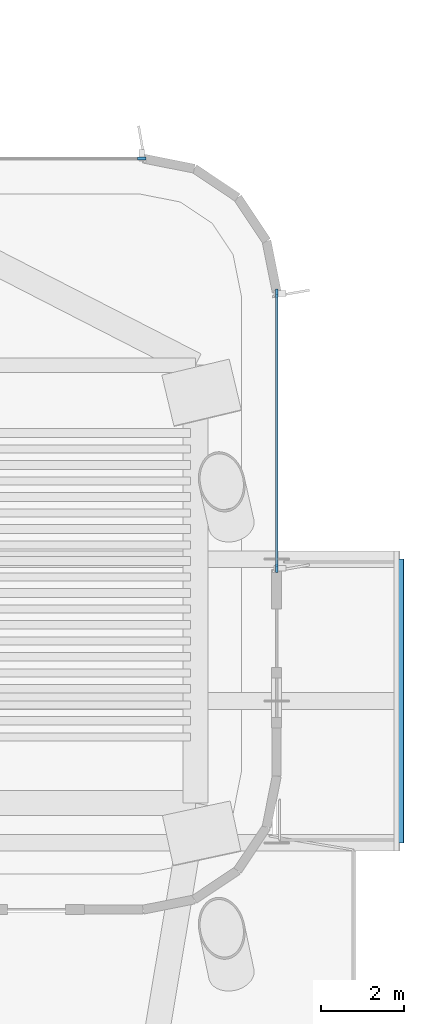
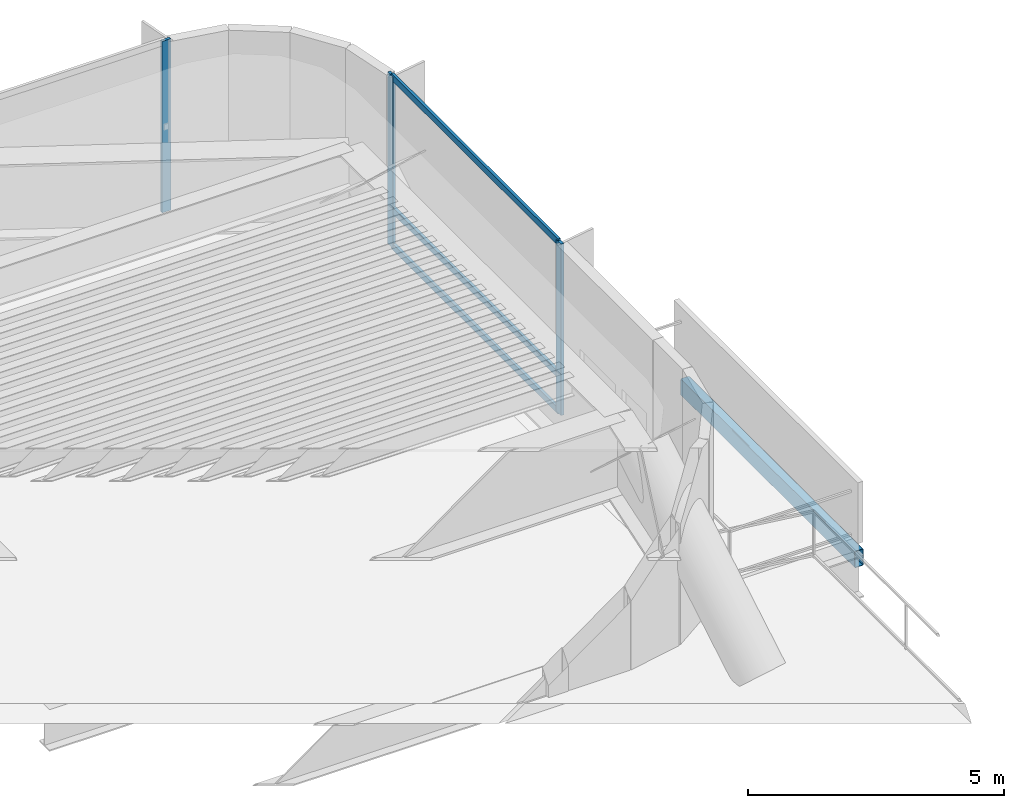
# One storey, part 8 of 16: 6 members, 1 beam, 2 elements without a shape of their own.
"""IFC4 building model written with IfcOpenShell, lengths in metres."""

import ifcopenshell
import ifcopenshell.guid

model = None  # the IFC model being written
_history = None  # IfcOwnerHistory: only IFC2X3 demands one
_inside = {}  # id of a spatial element -> (the spatial element, [elements in it])
_under = {}  # id of a project, library or spatial element -> (it, [spatial elements below it])
_declared = {}  # id of a project -> (the project, [libraries it declares])
_typed = {}  # id of a type object -> (the type object, [elements of that type])
_made_of = {}  # id of a material, layer set ... -> (it, [elements and type objects made of it])


def new_model(schema):
    """Start an empty IFC model of exactly this schema.

    Asked for "IFC4X3", IfcOpenShell would pick the latest addendum, in which some entities
    have other attributes; the version numbers below select the first issue.
    IFC2X3 requires an IfcOwnerHistory on every rooted entity: one is made here for all.
    """
    global model, _history
    if schema == "IFC4X3":
        model = ifcopenshell.file(schema_version=(4, 3, 0, 0))
    else:
        model = ifcopenshell.file(schema=schema)
    _inside.clear()
    _under.clear()
    _declared.clear()
    _typed.clear()
    _made_of.clear()
    _history = None
    if model.schema == "IFC2X3":
        org = make("IfcOrganization", Name="unknown")
        user = make(
            "IfcPersonAndOrganization",
            ThePerson=make("IfcPerson", FamilyName="unknown"),
            TheOrganization=org,
        )
        app = make(
            "IfcApplication",
            ApplicationDeveloper=org,
            Version="unknown",
            ApplicationFullName="unknown",
            ApplicationIdentifier="unknown",
        )
        _history = make(
            "IfcOwnerHistory",
            OwningUser=user,
            OwningApplication=app,
            ChangeAction="ADDED",
            CreationDate=0,
        )
    return model


def make(cls, **values):
    """One entity of the class cls with the attributes given. An attribute that is None is left unset."""
    return model.create_entity(
        cls, **{name: value for name, value in values.items() if value is not None}
    )


def rooted(cls, **values):
    """An entity with a GlobalId (a new one), such as an element, a storey or a relation."""
    return make(cls, GlobalId=ifcopenshell.guid.new(), OwnerHistory=_history, **values)


def si_unit(unit_type, name, prefix=None):
    """IfcSIUnit, for example si_unit("LENGTHUNIT", "METRE", prefix="MILLI")."""
    return make("IfcSIUnit", UnitType=unit_type, Prefix=prefix, Name=name)


def assignment(units):
    """IfcUnitAssignment: the units of a project."""
    return None if units is None else make("IfcUnitAssignment", Units=units)


def point(xyz):
    """IfcCartesianPoint."""
    return None if xyz is None else make("IfcCartesianPoint", Coordinates=xyz)


def direction(xyz):
    """IfcDirection."""
    return None if xyz is None else make("IfcDirection", DirectionRatios=xyz)


def frame(location, z_axis=None, x_axis=None):
    """IfcAxis2Placement3D, a coordinate frame: its origin and axes. An axis left out is left unset."""
    return make(
        "IfcAxis2Placement3D",
        Location=point(location),
        Axis=direction(z_axis),
        RefDirection=direction(x_axis),
    )


def frame_2d(location, x_axis=None):
    """IfcAxis2Placement2D, a coordinate frame in the plane: its origin and x axis."""
    return make(
        "IfcAxis2Placement2D", Location=point(location), RefDirection=direction(x_axis)
    )


def origin():
    """The frame at (0, 0, 0) with its axes left unset."""
    return frame((0.0, 0.0, 0.0))


def origin_2d():
    """The frame at (0, 0) in the plane with its x axis left unset."""
    return frame_2d((0.0, 0.0))


def place(relative_to, where):
    """IfcLocalPlacement: puts the frame where relative to a parent placement (None: the world)."""
    return make(
        "IfcLocalPlacement", PlacementRelTo=relative_to, RelativePlacement=where
    )


def context(
    kind, dimensions, precision=None, world=None, true_north=None, identifier=None
):
    """IfcGeometricRepresentationContext, for example the 3D "Model" context."""
    return make(
        "IfcGeometricRepresentationContext",
        ContextIdentifier=identifier,
        ContextType=kind,
        CoordinateSpaceDimension=dimensions,
        Precision=precision,
        WorldCoordinateSystem=world,
        TrueNorth=true_north,
    )


def subcontext(parent, identifier, kind, view, scale=None):
    """IfcGeometricRepresentationSubContext, for example "Body" below "Model"."""
    return make(
        "IfcGeometricRepresentationSubContext",
        ContextIdentifier=identifier,
        ContextType=kind,
        ParentContext=parent,
        TargetScale=scale,
        TargetView=view,
    )


def project(units=None, contexts=None):
    """IfcProject with its units and contexts."""
    return rooted(
        "IfcProject",
        Name="project",
        RepresentationContexts=contexts,
        UnitsInContext=assignment(units),
    )


def spatial(cls, under=None, at=None, **own):
    """A site, building, storey or space (cls), placed at a placement, below another one or the project."""
    s = rooted(cls, ObjectPlacement=at, **own)
    if under is not None:
        _under.setdefault(under.id(), (under, []))[1].append(s)
    return s


def profile(cls, at=None, kind="AREA", **sizes):
    """A parametric profile (cls). Its sizes go by their IFC names, for example OverallWidth=200.0."""
    return make(cls, ProfileType=kind, Position=at, **sizes)


def rectangle(**sizes):
    """IfcRectangleProfileDef."""
    return profile("IfcRectangleProfileDef", **sizes)


def hollow_rectangle(**sizes):
    """IfcRectangleHollowProfileDef."""
    return profile("IfcRectangleHollowProfileDef", **sizes)


def extrude(swept, where, along, depth):
    """IfcExtrudedAreaSolid: the profile swept, set in the frame where, extruded along a direction by depth."""
    return make(
        "IfcExtrudedAreaSolid",
        SweptArea=swept,
        Position=where,
        ExtrudedDirection=direction(along),
        Depth=depth,
    )


def shape(context_of_items, identifier, shape_type, items):
    """IfcShapeRepresentation: the items that make up one representation, for example the "Body"."""
    return make(
        "IfcShapeRepresentation",
        ContextOfItems=context_of_items,
        RepresentationIdentifier=identifier,
        RepresentationType=shape_type,
        Items=items,
    )


def source(mapping_origin, context_of_items, identifier, shape_type, items):
    """IfcRepresentationMap: a shape defined once, which mapped items show again and again."""
    return make(
        "IfcRepresentationMap",
        MappingOrigin=mapping_origin,
        MappedRepresentation=shape(context_of_items, identifier, shape_type, items),
    )


def transform(
    local_origin,
    x_axis=None,
    y_axis=None,
    z_axis=None,
    scale=None,
    scale2=None,
    scale3=None,
    uniform=True,
):
    """IfcCartesianTransformationOperator3D, or its non-uniform kind. x_axis, y_axis, z_axis: its Axis1, 2, 3."""
    if uniform:
        return make(
            "IfcCartesianTransformationOperator3D",
            Axis1=direction(x_axis),
            Axis2=direction(y_axis),
            LocalOrigin=point(local_origin),
            Scale=scale,
            Axis3=direction(z_axis),
        )
    return make(
        "IfcCartesianTransformationOperator3DnonUniform",
        Axis1=direction(x_axis),
        Axis2=direction(y_axis),
        LocalOrigin=point(local_origin),
        Scale=scale,
        Axis3=direction(z_axis),
        Scale2=scale2,
        Scale3=scale3,
    )


def mapped(mapping_source, mapping_target):
    """IfcMappedItem: shows the shape of a source again, moved by a transform."""
    return make(
        "IfcMappedItem", MappingSource=mapping_source, MappingTarget=mapping_target
    )


def material(Name=None, Category=None):
    """IfcMaterial."""
    return make("IfcMaterial", Name=Name, Category=Category)


def layer(
    of_material, thickness, ventilated=None, Name=None, Category=None, Priority=None
):
    """IfcMaterialLayer: one layer of a wall or slab, of a material (None: an air gap)."""
    return make(
        "IfcMaterialLayer",
        Material=of_material,
        LayerThickness=thickness,
        IsVentilated=ventilated,
        Name=Name,
        Category=Category,
        Priority=Priority,
    )


def layer_set(layers, Name=None):
    """IfcMaterialLayerSet."""
    return make("IfcMaterialLayerSet", MaterialLayers=layers, LayerSetName=Name)


def material_profile(
    of_material, cross_section, Name=None, Category=None, Priority=None
):
    """IfcMaterialProfile: a cross section and its material."""
    return make(
        "IfcMaterialProfile",
        Name=Name,
        Material=of_material,
        Profile=cross_section,
        Priority=Priority,
        Category=Category,
    )


def profile_set(profiles, Name=None, composite=None):
    """IfcMaterialProfileSet."""
    return make(
        "IfcMaterialProfileSet",
        Name=Name,
        MaterialProfiles=profiles,
        CompositeProfile=composite,
    )


def made_of(thing, what):
    """Note that an element or type object is made of a material, layer set ...; save() writes the relation."""
    if what is not None:
        _made_of.setdefault(what.id(), (what, []))[1].append(thing)
    return thing


def type_object(cls, material=None, **own):
    """A type object (cls), such as IfcWallType, which elements share."""
    return made_of(rooted(cls, **own), material)


def element(
    cls,
    number,
    at=None,
    inside=None,
    cuts=None,
    type_object=None,
    material=None,
    context=None,
    identifier="Body",
    shape_type=None,
    held_by="IfcProductDefinitionShape",
    body=None,
    shapes=None,
    **own,
):
    """One element of the class cls, such as IfcWall. Its Tag is "e" and its number.

    at: its placement. inside: the storey or other place that contains it. cuts: it is an
    opening in that element (IfcRelVoidsElement). A single representation is given by context,
    identifier, shape_type and body (its items); several are given by shapes. held_by: the class
    of the entity that holds the representations. save() writes the other relations.
    """
    e = rooted(cls, Tag="e%d" % number, ObjectPlacement=at, **own)
    if body is not None:
        shapes = [shape(context, identifier, shape_type, body)]
    if shapes is not None:
        e.Representation = make(held_by, Representations=shapes)
    if inside is not None:
        _inside.setdefault(inside.id(), (inside, []))[1].append(e)
    if cuts is not None:
        rooted(
            "IfcRelVoidsElement", RelatingBuildingElement=cuts, RelatedOpeningElement=e
        )
    if type_object is not None:
        _typed.setdefault(type_object.id(), (type_object, []))[1].append(e)
    return made_of(e, material)


def aggregate(whole, parts):
    """IfcRelAggregates: a whole, such as a stair, and the parts it consists of."""
    return rooted("IfcRelAggregates", RelatingObject=whole, RelatedObjects=parts)


def save(model, path):
    """Write the relations noted so far, then the file.

    IfcRelAggregates (storeys below a building ...), IfcRelContainedInSpatialStructure (elements
    in a storey), IfcRelDefinesByType, IfcRelAssociatesMaterial and IfcRelDeclares: one each for
    every whole, place, type object, material and project.
    """
    for whole, parts in _under.values():
        aggregate(whole, parts)
    for where, things in _inside.values():
        rooted(
            "IfcRelContainedInSpatialStructure",
            RelatedElements=things,
            RelatingStructure=where,
        )
    for kind, things in _typed.values():
        rooted("IfcRelDefinesByType", RelatedObjects=things, RelatingType=kind)
    for what, things in _made_of.values():
        rooted("IfcRelAssociatesMaterial", RelatedObjects=things, RelatingMaterial=what)
    for by, libraries in _declared.values():
        rooted("IfcRelDeclares", RelatingContext=by, RelatedDefinitions=libraries)
    model.write(path)


model = new_model("IFC4")

# Units and contexts
model_context = context("Model", 3, precision=1e-05, world=origin(), true_north=direction((0.0, 1.0)))
body_context = subcontext(model_context, "Body", "Model", "MODEL_VIEW")
ifc_project = project(units=[si_unit("LENGTHUNIT", "METRE"), si_unit("AREAUNIT", "SQUARE_METRE"), si_unit("VOLUMEUNIT", "CUBIC_METRE"), si_unit("PLANEANGLEUNIT", "RADIAN"), si_unit("MASSUNIT", "GRAM", prefix="KILO")], contexts=[model_context])

# Site, building, storey
site_placement = place(None, origin())
site = spatial("IfcSite", under=ifc_project, at=site_placement, CompositionType="ELEMENT")
building_placement = place(site_placement, origin())
building = spatial("IfcBuilding", under=site, at=building_placement, Name="Brelvock Crest Care Tower", CompositionType="ELEMENT")
storey_placement = place(building_placement, frame((0.0, 0.0, 218.52001953125)))
storey = spatial("IfcBuildingStorey", under=building, at=storey_placement, Name="L55", CompositionType="ELEMENT", Elevation=218.52001953125)

# Beam
ifc_material_1 = material(Name="Steel Grade 350", Category="steel")
ifc_material_profile_1 = material_profile(ifc_material_1, hollow_rectangle(XDim=0.199951171875, YDim=0.39990234375, WallThickness=0.012451171875, OuterFilletRadius=0.02490234375, at=origin_2d()), Name="RHS400x200x12.5")
ifc_profile_set_1 = profile_set([ifc_material_profile_1], Name="Steel Grade 350")
beam_type = type_object("IfcBeamType", Name="BM-SP3", PredefinedType="SPANDREL", material=ifc_profile_set_1)
shared_shape_1 = source(origin(), body_context, "Body", "SweptSolid", [
    extrude(hollow_rectangle(XDim=0.199951171875, YDim=0.39990234375, WallThickness=0.012451171875, OuterFilletRadius=0.02490234375, at=origin_2d()), origin(), (0.0, 0.0, 1.0), 6.800048828125),
])
beam_placement = place(storey_placement, frame((57.25, 43.0, -0.52001953125), z_axis=(0.0, 1.0, 0.0), x_axis=(-1.0, 0.0, 0.0)))
element("IfcBeam", 1, at=beam_placement, inside=storey, type_object=beam_type, Name="L55 Sky Pool Edge Spandrel", PredefinedType="SPANDREL", context=body_context, shape_type="MappedRepresentation", body=[
    mapped(shared_shape_1, transform((0.0, 0.0, 0.0), x_axis=(1.0, 0.0, 0.0), y_axis=(0.0, 1.0, 0.0), z_axis=(0.0, 0.0, 1.0), scale=1.0)),
])

# Curtain wall, member
ifc_material_2 = material(Name="Dark Glass Double Glazed Low-E", Category="glass")
ifc_layer = layer(ifc_material_2, 0.2548828125, Name="CWS-6")
ifc_layer_set = layer_set([ifc_layer], Name="Dark Glass Double Glazed Low-E")
curtain_wall_type = type_object("IfcCurtainWallType", Name="CWS-6", PredefinedType="NOTDEFINED", material=ifc_layer_set)
curtain_wall_1_placement = place(storey_placement, origin())
curtain_wall_1 = element("IfcCurtainWall", 2, at=curtain_wall_1_placement, inside=storey, type_object=curtain_wall_type, Name="L55 Curtain Wall E34", PredefinedType="NOTDEFINED")
ifc_material_3 = material(Name="Aluminium 6063-T6", Category="aluminium")
ifc_material_profile_2 = material_profile(ifc_material_3, rectangle(XDim=0.06494140625, YDim=0.199951171875, at=origin_2d()), Name="ALU65x200")
ifc_profile_set_2 = profile_set([ifc_material_profile_2], Name="Aluminium 6063-T6")
member_type_1 = type_object("IfcMemberType", Name="CWM-1", PredefinedType="MULLION", material=ifc_profile_set_2)
shared_shape_2 = source(origin(), body_context, "Body", "SweptSolid", [
    extrude(rectangle(XDim=0.06494140625, YDim=0.199951171875, at=origin_2d()), origin(), (0.0, 0.0, 1.0), 4.092041015625),
])
member_1_placement = place(storey_placement, frame((51.0673828125, 59.39990234375, 0.0), z_axis=(0.0, 0.0, 1.0), x_axis=(0.0, 1.0, 0.0)))
member_1 = element("IfcMember", 3, at=member_1_placement, type_object=member_type_1, Name="CW-6 mullion 3", PredefinedType="MULLION", context=body_context, shape_type="MappedRepresentation", body=[
    mapped(shared_shape_2, transform((0.0, 0.0, 0.0), x_axis=(1.0, 0.0, 0.0), y_axis=(0.0, 1.0, 0.0), z_axis=(0.0, 0.0, 1.0), scale=1.0)),
])
aggregate(curtain_wall_1, [member_1])

# Curtain wall, members
curtain_wall_2_placement = place(storey_placement, origin())
curtain_wall_2 = element("IfcCurtainWall", 4, at=curtain_wall_2_placement, inside=storey, type_object=curtain_wall_type, Name="L55 Curtain Wall E39A", PredefinedType="NOTDEFINED")
member_2_placement = place(storey_placement, frame((54.300048828125, 56.16748046875, 0.0), z_axis=(0.0, 0.0, 1.0), x_axis=(1.0, 0.0, 0.0)))
member_2 = element("IfcMember", 5, at=member_2_placement, type_object=member_type_1, Name="CW-6 mullion 1", PredefinedType="MULLION", context=body_context, shape_type="MappedRepresentation", body=[
    mapped(shared_shape_2, transform((0.0, 0.0, 0.0), x_axis=(1.0, 0.0, 0.0), y_axis=(0.0, 1.0, 0.0), z_axis=(0.0, 0.0, 1.0), scale=1.0)),
])
member_3_placement = place(storey_placement, frame((54.300048828125, 49.58251953125, 0.0), z_axis=(0.0, 0.0, 1.0), x_axis=(1.0, 0.0, 0.0)))
member_3 = element("IfcMember", 6, at=member_3_placement, type_object=member_type_1, Name="CW-6 mullion 2", PredefinedType="MULLION", context=body_context, shape_type="MappedRepresentation", body=[
    mapped(shared_shape_2, transform((0.0, 0.0, 0.0), x_axis=(1.0, 0.0, 0.0), y_axis=(0.0, 1.0, 0.0), z_axis=(0.0, 0.0, 1.0), scale=1.0)),
])
ifc_material_profile_3 = material_profile(ifc_material_3, rectangle(XDim=0.06494140625, YDim=0.14990234375, at=origin_2d()), Name="ALU65x150")
ifc_profile_set_3 = profile_set([ifc_material_profile_3], Name="Aluminium 6063-T6")
member_type_2 = type_object("IfcMemberType", Name="CWT-1", PredefinedType="USERDEFINED", material=ifc_profile_set_3)
shared_shape_3 = source(origin(), body_context, "Body", "SweptSolid", [
    extrude(rectangle(XDim=0.06494140625, YDim=0.14990234375, at=origin_2d()), origin(), (0.0, 0.0, 1.0), 6.52001953125),
])
member_4_placement = place(storey_placement, frame((54.300048828125, 56.135009765625, 0.032470703125), z_axis=(0.0, -1.0, 0.0), x_axis=(1.0, 0.0, 0.0)))
member_4 = element("IfcMember", 7, at=member_4_placement, type_object=member_type_2, Name="CW-6 transom 1.1", ObjectType="TRANSOM", PredefinedType="USERDEFINED", context=body_context, shape_type="MappedRepresentation", body=[
    mapped(shared_shape_3, transform((0.0, 0.0, 0.0), x_axis=(1.0, 0.0, 0.0), y_axis=(0.0, 1.0, 0.0), z_axis=(0.0, 0.0, 1.0), scale=1.0)),
])
member_5_placement = place(storey_placement, frame((54.300048828125, 56.135009765625, 0.89990234375), z_axis=(0.0, -1.0, 0.0), x_axis=(1.0, 0.0, 0.0)))
member_5 = element("IfcMember", 8, at=member_5_placement, type_object=member_type_2, Name="CW-6 transom 1.2", ObjectType="TRANSOM", PredefinedType="USERDEFINED", context=body_context, shape_type="MappedRepresentation", body=[
    mapped(shared_shape_3, transform((0.0, 0.0, 0.0), x_axis=(1.0, 0.0, 0.0), y_axis=(0.0, 1.0, 0.0), z_axis=(0.0, 0.0, 1.0), scale=1.0)),
])
member_6_placement = place(storey_placement, frame((54.300048828125, 56.135009765625, 4.0595703125), z_axis=(0.0, -1.0, 0.0), x_axis=(1.0, 0.0, 0.0)))
member_6 = element("IfcMember", 9, at=member_6_placement, type_object=member_type_2, Name="CW-6 transom 1.3", ObjectType="TRANSOM", PredefinedType="USERDEFINED", context=body_context, shape_type="MappedRepresentation", body=[
    mapped(shared_shape_3, transform((0.0, 0.0, 0.0), x_axis=(1.0, 0.0, 0.0), y_axis=(0.0, 1.0, 0.0), z_axis=(0.0, 0.0, 1.0), scale=1.0)),
])
aggregate(curtain_wall_2, [member_2, member_3, member_4, member_5, member_6])

save(model, "model.ifc")
